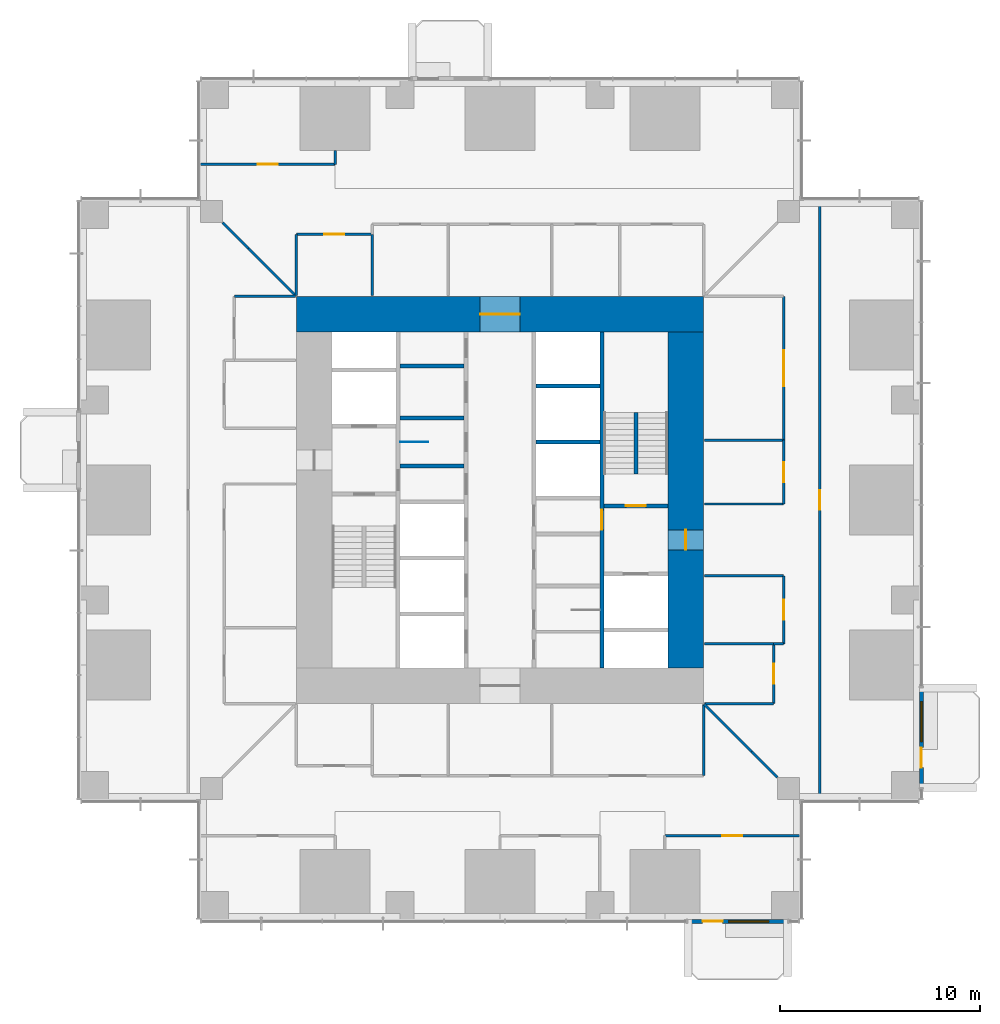
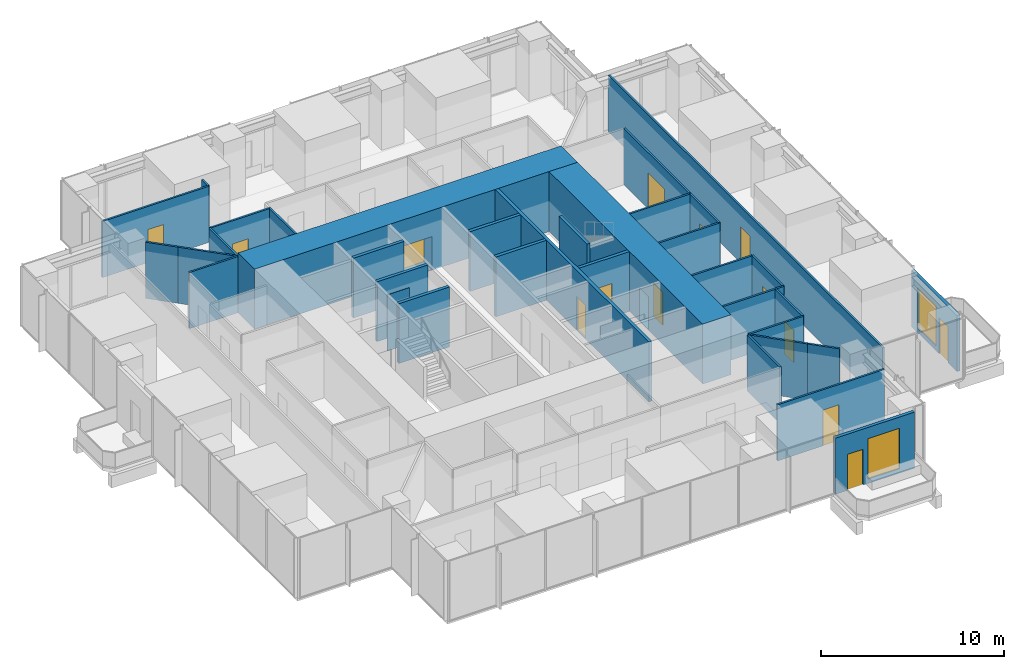
# One storey, part 11 of 15: 36 walls, 14 doors, 2 windows, 16 openings.
"""IFC4 building model written with IfcOpenShell, lengths in metres."""

import ifcopenshell
import ifcopenshell.guid

model = None  # the IFC model being written
_history = None  # IfcOwnerHistory: only IFC2X3 demands one
_inside = {}  # id of a spatial element -> (the spatial element, [elements in it])
_under = {}  # id of a project, library or spatial element -> (it, [spatial elements below it])
_declared = {}  # id of a project -> (the project, [libraries it declares])
_typed = {}  # id of a type object -> (the type object, [elements of that type])
_made_of = {}  # id of a material, layer set ... -> (it, [elements and type objects made of it])


def new_model(schema):
    """Start an empty IFC model of exactly this schema.

    Asked for "IFC4X3", IfcOpenShell would pick the latest addendum, in which some entities
    have other attributes; the version numbers below select the first issue.
    IFC2X3 requires an IfcOwnerHistory on every rooted entity: one is made here for all.
    """
    global model, _history
    if schema == "IFC4X3":
        model = ifcopenshell.file(schema_version=(4, 3, 0, 0))
    else:
        model = ifcopenshell.file(schema=schema)
    _inside.clear()
    _under.clear()
    _declared.clear()
    _typed.clear()
    _made_of.clear()
    _history = None
    if model.schema == "IFC2X3":
        org = make("IfcOrganization", Name="unknown")
        user = make(
            "IfcPersonAndOrganization",
            ThePerson=make("IfcPerson", FamilyName="unknown"),
            TheOrganization=org,
        )
        app = make(
            "IfcApplication",
            ApplicationDeveloper=org,
            Version="unknown",
            ApplicationFullName="unknown",
            ApplicationIdentifier="unknown",
        )
        _history = make(
            "IfcOwnerHistory",
            OwningUser=user,
            OwningApplication=app,
            ChangeAction="ADDED",
            CreationDate=0,
        )
    return model


def make(cls, **values):
    """One entity of the class cls with the attributes given. An attribute that is None is left unset."""
    return model.create_entity(
        cls, **{name: value for name, value in values.items() if value is not None}
    )


def rooted(cls, **values):
    """An entity with a GlobalId (a new one), such as an element, a storey or a relation."""
    return make(cls, GlobalId=ifcopenshell.guid.new(), OwnerHistory=_history, **values)


def si_unit(unit_type, name, prefix=None):
    """IfcSIUnit, for example si_unit("LENGTHUNIT", "METRE", prefix="MILLI")."""
    return make("IfcSIUnit", UnitType=unit_type, Prefix=prefix, Name=name)


def assignment(units):
    """IfcUnitAssignment: the units of a project."""
    return None if units is None else make("IfcUnitAssignment", Units=units)


def point(xyz):
    """IfcCartesianPoint."""
    return None if xyz is None else make("IfcCartesianPoint", Coordinates=xyz)


def direction(xyz):
    """IfcDirection."""
    return None if xyz is None else make("IfcDirection", DirectionRatios=xyz)


def frame(location, z_axis=None, x_axis=None):
    """IfcAxis2Placement3D, a coordinate frame: its origin and axes. An axis left out is left unset."""
    return make(
        "IfcAxis2Placement3D",
        Location=point(location),
        Axis=direction(z_axis),
        RefDirection=direction(x_axis),
    )


def frame_2d(location, x_axis=None):
    """IfcAxis2Placement2D, a coordinate frame in the plane: its origin and x axis."""
    return make(
        "IfcAxis2Placement2D", Location=point(location), RefDirection=direction(x_axis)
    )


def origin():
    """The frame at (0, 0, 0) with its axes left unset."""
    return frame((0.0, 0.0, 0.0))


def place(relative_to, where):
    """IfcLocalPlacement: puts the frame where relative to a parent placement (None: the world)."""
    return make(
        "IfcLocalPlacement", PlacementRelTo=relative_to, RelativePlacement=where
    )


def context(
    kind, dimensions, precision=None, world=None, true_north=None, identifier=None
):
    """IfcGeometricRepresentationContext, for example the 3D "Model" context."""
    return make(
        "IfcGeometricRepresentationContext",
        ContextIdentifier=identifier,
        ContextType=kind,
        CoordinateSpaceDimension=dimensions,
        Precision=precision,
        WorldCoordinateSystem=world,
        TrueNorth=true_north,
    )


def subcontext(parent, identifier, kind, view, scale=None):
    """IfcGeometricRepresentationSubContext, for example "Body" below "Model"."""
    return make(
        "IfcGeometricRepresentationSubContext",
        ContextIdentifier=identifier,
        ContextType=kind,
        ParentContext=parent,
        TargetScale=scale,
        TargetView=view,
    )


def project(units=None, contexts=None):
    """IfcProject with its units and contexts."""
    return rooted(
        "IfcProject",
        Name="project",
        RepresentationContexts=contexts,
        UnitsInContext=assignment(units),
    )


def spatial(cls, under=None, at=None, **own):
    """A site, building, storey or space (cls), placed at a placement, below another one or the project."""
    s = rooted(cls, ObjectPlacement=at, **own)
    if under is not None:
        _under.setdefault(under.id(), (under, []))[1].append(s)
    return s


def profile(cls, at=None, kind="AREA", **sizes):
    """A parametric profile (cls). Its sizes go by their IFC names, for example OverallWidth=200.0."""
    return make(cls, ProfileType=kind, Position=at, **sizes)


def rectangle(**sizes):
    """IfcRectangleProfileDef."""
    return profile("IfcRectangleProfileDef", **sizes)


def extrude(swept, where, along, depth):
    """IfcExtrudedAreaSolid: the profile swept, set in the frame where, extruded along a direction by depth."""
    return make(
        "IfcExtrudedAreaSolid",
        SweptArea=swept,
        Position=where,
        ExtrudedDirection=direction(along),
        Depth=depth,
    )


def shape(context_of_items, identifier, shape_type, items):
    """IfcShapeRepresentation: the items that make up one representation, for example the "Body"."""
    return make(
        "IfcShapeRepresentation",
        ContextOfItems=context_of_items,
        RepresentationIdentifier=identifier,
        RepresentationType=shape_type,
        Items=items,
    )


def material(Name=None, Category=None):
    """IfcMaterial."""
    return make("IfcMaterial", Name=Name, Category=Category)


def layer(
    of_material, thickness, ventilated=None, Name=None, Category=None, Priority=None
):
    """IfcMaterialLayer: one layer of a wall or slab, of a material (None: an air gap)."""
    return make(
        "IfcMaterialLayer",
        Material=of_material,
        LayerThickness=thickness,
        IsVentilated=ventilated,
        Name=Name,
        Category=Category,
        Priority=Priority,
    )


def layer_set(layers, Name=None):
    """IfcMaterialLayerSet."""
    return make("IfcMaterialLayerSet", MaterialLayers=layers, LayerSetName=Name)


def made_of(thing, what):
    """Note that an element or type object is made of a material, layer set ...; save() writes the relation."""
    if what is not None:
        _made_of.setdefault(what.id(), (what, []))[1].append(thing)
    return thing


def type_object(cls, material=None, **own):
    """A type object (cls), such as IfcWallType, which elements share."""
    return made_of(rooted(cls, **own), material)


def element(
    cls,
    number,
    at=None,
    inside=None,
    cuts=None,
    type_object=None,
    material=None,
    context=None,
    identifier="Body",
    shape_type=None,
    held_by="IfcProductDefinitionShape",
    body=None,
    shapes=None,
    **own,
):
    """One element of the class cls, such as IfcWall. Its Tag is "e" and its number.

    at: its placement. inside: the storey or other place that contains it. cuts: it is an
    opening in that element (IfcRelVoidsElement). A single representation is given by context,
    identifier, shape_type and body (its items); several are given by shapes. held_by: the class
    of the entity that holds the representations. save() writes the other relations.
    """
    e = rooted(cls, Tag="e%d" % number, ObjectPlacement=at, **own)
    if body is not None:
        shapes = [shape(context, identifier, shape_type, body)]
    if shapes is not None:
        e.Representation = make(held_by, Representations=shapes)
    if inside is not None:
        _inside.setdefault(inside.id(), (inside, []))[1].append(e)
    if cuts is not None:
        rooted(
            "IfcRelVoidsElement", RelatingBuildingElement=cuts, RelatedOpeningElement=e
        )
    if type_object is not None:
        _typed.setdefault(type_object.id(), (type_object, []))[1].append(e)
    return made_of(e, material)


def fill(opening, filler):
    """IfcRelFillsElement: the door or window that sits in an opening."""
    return rooted(
        "IfcRelFillsElement",
        RelatingOpeningElement=opening,
        RelatedBuildingElement=filler,
    )


def aggregate(whole, parts):
    """IfcRelAggregates: a whole, such as a stair, and the parts it consists of."""
    return rooted("IfcRelAggregates", RelatingObject=whole, RelatedObjects=parts)


def save(model, path):
    """Write the relations noted so far, then the file.

    IfcRelAggregates (storeys below a building ...), IfcRelContainedInSpatialStructure (elements
    in a storey), IfcRelDefinesByType, IfcRelAssociatesMaterial and IfcRelDeclares: one each for
    every whole, place, type object, material and project.
    """
    for whole, parts in _under.values():
        aggregate(whole, parts)
    for where, things in _inside.values():
        rooted(
            "IfcRelContainedInSpatialStructure",
            RelatedElements=things,
            RelatingStructure=where,
        )
    for kind, things in _typed.values():
        rooted("IfcRelDefinesByType", RelatedObjects=things, RelatingType=kind)
    for what, things in _made_of.values():
        rooted("IfcRelAssociatesMaterial", RelatedObjects=things, RelatingMaterial=what)
    for by, libraries in _declared.values():
        rooted("IfcRelDeclares", RelatingContext=by, RelatedDefinitions=libraries)
    model.write(path)


model = new_model("IFC4")

# Units and contexts
model_context = context("Model", 3, precision=1e-05, world=origin(), true_north=direction((0.0, 1.0)))
body_context = subcontext(model_context, "Body", "Model", "MODEL_VIEW")
ifc_project = project(units=[si_unit("LENGTHUNIT", "METRE"), si_unit("AREAUNIT", "SQUARE_METRE"), si_unit("VOLUMEUNIT", "CUBIC_METRE"), si_unit("PLANEANGLEUNIT", "RADIAN"), si_unit("MASSUNIT", "GRAM", prefix="KILO")], contexts=[model_context])

# Site, building, storey
site_placement = place(None, origin())
site = spatial("IfcSite", under=ifc_project, at=site_placement, CompositionType="ELEMENT")
building_placement = place(site_placement, origin())
building = spatial("IfcBuilding", under=site, at=building_placement, Name="Svetlomir Tower", CompositionType="ELEMENT")
storey_placement = place(building_placement, frame((0.0, 0.0, 26.5)))
storey = spatial("IfcBuildingStorey", under=building, at=storey_placement, Name="L05", CompositionType="ELEMENT", Elevation=26.5)

# Wall, openings, door, window
ifc_material_1 = material(Name="Bronze anodised aluminium glazed screen", Category="aluminium")
ifc_layer_1 = layer(ifc_material_1, 0.199951171875)
ifc_layer_set_1 = layer_set([ifc_layer_1], Name="Bronze anodised aluminium glazed screen")
wall_type_1 = type_object("IfcWallType", Name="BALCONY SCREEN WALL 200", PredefinedType="USERDEFINED", material=ifc_layer_set_1)
wall_1_placement = place(storey_placement, frame((30.39990234375, -0.10009765625, 0.0), z_axis=(0.0, 0.0, 1.0), x_axis=(1.0, 0.0, 0.0)))
wall_1 = element("IfcWall", 1, at=wall_1_placement, inside=storey, type_object=wall_type_1, Name="Balcony screen S", ObjectType="GLAZED SCREEN", PredefinedType="USERDEFINED", context=body_context, shape_type="SweptSolid", body=[
    extrude(rectangle(XDim=5.0, YDim=0.199951171875, at=frame_2d((2.5, 0.0))), origin(), (0.0, 0.0, 1.0), 3.75),
])
opening_1_placement = place(wall_1_placement, frame((0.75, 0.0, 0.0)))
opening_1 = element("IfcOpeningElement", 2, at=opening_1_placement, cuts=wall_1, Name="Opening BD", PredefinedType="OPENING", context=body_context, shape_type="SweptSolid", body=[
    extrude(rectangle(XDim=1.0, YDim=2.39990234375, at=frame_2d((0.5, 1.199951171875))), frame((0.0, 0.10986328125, 0.0), z_axis=(0.0, -1.0, 0.0), x_axis=(1.0, 0.0, 0.0)), (0.0, 0.0, 1.0), 0.219970703125),
])
opening_2_placement = place(wall_1_placement, frame((2.050048828125, 0.0, 0.300048828125)))
opening_2 = element("IfcOpeningElement", 3, at=opening_2_placement, cuts=wall_1, Name="Opening WS", PredefinedType="OPENING", context=body_context, shape_type="SweptSolid", body=[
    extrude(rectangle(XDim=2.0, YDim=2.699951171875, at=frame_2d((1.0, 1.35009765625))), frame((0.0, 0.10986328125, 0.0), z_axis=(0.0, -1.0, 0.0), x_axis=(1.0, 0.0, 0.0)), (0.0, 0.0, 1.0), 0.219970703125),
])
ifc_material_2 = material(Name="Bronze anodised aluminium glazed door", Category="aluminium")
door_type_1 = type_object("IfcDoorType", Name="BALCONY DOOR BD 1000x2400", OperationType="SINGLE_SWING_LEFT", PredefinedType="DOOR", material=ifc_material_2)
door_1_placement = place(opening_1_placement, origin())
door_1 = element("IfcDoor", 4, at=door_1_placement, inside=storey, type_object=door_type_1, Name="Balcony screen S door", OperationType="SINGLE_SWING_LEFT", OverallHeight=2.39990234375, OverallWidth=1.0, PredefinedType="DOOR", context=body_context, shape_type="SweptSolid", body=[
    extrude(rectangle(XDim=1.0, YDim=2.39990234375, at=frame_2d((0.5, 1.199951171875))), frame((0.0, 0.02490234375, 0.0), z_axis=(0.0, -1.0, 0.0), x_axis=(1.0, 0.0, 0.0)), (0.0, 0.0, 1.0), 0.050048828125),
])
fill(opening_1, door_1)
ifc_material_3 = material(Name="Bronze anodised aluminium window", Category="aluminium")
window_type = type_object("IfcWindowType", Name="SCREEN WINDOW WS 2000x2700", PartitioningType="SINGLE_PANEL", PredefinedType="WINDOW", material=ifc_material_3)
window_1_placement = place(opening_2_placement, origin())
window_1 = element("IfcWindow", 5, at=window_1_placement, inside=storey, type_object=window_type, Name="Balcony screen S window 1", OverallHeight=2.699951171875, OverallWidth=2.0, PartitioningType="SINGLE_PANEL", PredefinedType="WINDOW", context=body_context, shape_type="SweptSolid", body=[
    extrude(rectangle(XDim=2.0, YDim=2.699951171875, at=frame_2d((1.0, 1.35009765625))), frame((0.0, 0.030029296875, 0.0), z_axis=(0.0, -1.0, 0.0), x_axis=(1.0, 0.0, 0.0)), (0.0, 0.0, 1.0), 0.06005859375),
])
fill(opening_2, window_1)

wall_2_placement = place(storey_placement, frame((42.10009765625, 6.60009765625, 0.0), z_axis=(0.0, 0.0, 1.0), x_axis=(0.0, 1.0, 0.0)))
wall_2 = element("IfcWall", 6, at=wall_2_placement, inside=storey, type_object=wall_type_1, Name="Balcony screen E", ObjectType="GLAZED SCREEN", PredefinedType="USERDEFINED", context=body_context, shape_type="SweptSolid", body=[
    extrude(rectangle(XDim=5.0, YDim=0.199951171875, at=frame_2d((2.5, 0.0))), origin(), (0.0, 0.0, 1.0), 3.75),
])
opening_3_placement = place(wall_2_placement, frame((1.0, 0.0, 0.0)))
opening_3 = element("IfcOpeningElement", 7, at=opening_3_placement, cuts=wall_2, Name="Opening BD", PredefinedType="OPENING", context=body_context, shape_type="SweptSolid", body=[
    extrude(rectangle(XDim=1.0, YDim=2.39990234375, at=frame_2d((0.5, 1.199951171875))), frame((0.0, 0.10986328125, 0.0), z_axis=(0.0, -1.0, 0.0), x_axis=(1.0, 0.0, 0.0)), (0.0, 0.0, 1.0), 0.219970703125),
])
opening_4_placement = place(wall_2_placement, frame((2.300048828125, 0.0, 0.300048828125)))
opening_4 = element("IfcOpeningElement", 8, at=opening_4_placement, cuts=wall_2, Name="Opening WS", PredefinedType="OPENING", context=body_context, shape_type="SweptSolid", body=[
    extrude(rectangle(XDim=2.0, YDim=2.699951171875, at=frame_2d((1.0, 1.35009765625))), frame((0.0, 0.10986328125, 0.0), z_axis=(0.0, -1.0, 0.0), x_axis=(1.0, 0.0, 0.0)), (0.0, 0.0, 1.0), 0.219970703125),
])
door_2_placement = place(opening_3_placement, origin())
door_2 = element("IfcDoor", 9, at=door_2_placement, inside=storey, type_object=door_type_1, Name="Balcony screen E door", OperationType="SINGLE_SWING_LEFT", OverallHeight=2.39990234375, OverallWidth=1.0, PredefinedType="DOOR", context=body_context, shape_type="SweptSolid", body=[
    extrude(rectangle(XDim=1.0, YDim=2.39990234375, at=frame_2d((0.5, 1.199951171875))), frame((0.0, 0.02490234375, 0.0), z_axis=(0.0, -1.0, 0.0), x_axis=(1.0, 0.0, 0.0)), (0.0, 0.0, 1.0), 0.050048828125),
])
fill(opening_3, door_2)
window_2_placement = place(opening_4_placement, origin())
window_2 = element("IfcWindow", 10, at=window_2_placement, inside=storey, type_object=window_type, Name="Balcony screen E window 1", OverallHeight=2.699951171875, OverallWidth=2.0, PartitioningType="SINGLE_PANEL", PredefinedType="WINDOW", context=body_context, shape_type="SweptSolid", body=[
    extrude(rectangle(XDim=2.0, YDim=2.699951171875, at=frame_2d((1.0, 1.35009765625))), frame((0.0, 0.030029296875, 0.0), z_axis=(0.0, -1.0, 0.0), x_axis=(1.0, 0.0, 0.0)), (0.0, 0.0, 1.0), 0.06005859375),
])
fill(opening_4, window_2)

# Wall, opening, door
ifc_material_4 = material(Name="Concrete C60/75", Category="concrete")
ifc_layer_2 = layer(ifc_material_4, 0.199951171875)
ifc_layer_set_2 = layer_set([ifc_layer_2], Name="Concrete C60/75")
wall_type_2 = type_object("IfcWallType", Name="CORE INNER WALL 200", PredefinedType="SHEAR", material=ifc_layer_set_2)
wall_3_placement = place(storey_placement, frame((26.10009765625, 12.60009765625, -0.050048828125), z_axis=(0.0, 0.0, 1.0), x_axis=(0.0, 1.0, 0.0)))
wall_3 = element("IfcWall", 11, at=wall_3_placement, inside=storey, type_object=wall_type_2, Name="Core inner wall 26.1 L05", PredefinedType="SHEAR", context=body_context, shape_type="SweptSolid", body=[
    extrude(rectangle(XDim=16.7998046875, YDim=0.199951171875, at=frame_2d((8.39990234375, 0.0))), origin(), (0.0, 0.0, 1.0), 4.0),
])
opening_5_placement = place(wall_3_placement, frame((6.89990234375, 0.0, 0.050048828125)))
opening_5 = element("IfcOpeningElement", 12, at=opening_5_placement, cuts=wall_3, Name="Opening DF", PredefinedType="OPENING", context=body_context, shape_type="SweptSolid", body=[
    extrude(rectangle(XDim=1.0, YDim=2.199951171875, at=frame_2d((0.5, 1.10009765625))), frame((0.0, 0.10986328125, 0.0), z_axis=(0.0, -1.0, 0.0), x_axis=(1.0, 0.0, 0.0)), (0.0, 0.0, 1.0), 0.219970703125),
])
ifc_material_5 = material(Name="Steel fire door", Category="steel")
door_type_2 = type_object("IfcDoorType", Name="DOOR DF 1000x2200", OperationType="SINGLE_SWING_LEFT", PredefinedType="DOOR", material=ifc_material_5)
door_3_placement = place(opening_5_placement, origin())
door_3 = element("IfcDoor", 13, at=door_3_placement, inside=storey, type_object=door_type_2, Name="Core corridor east door L05", OperationType="SINGLE_SWING_LEFT", OverallHeight=2.199951171875, OverallWidth=1.0, PredefinedType="DOOR", context=body_context, shape_type="SweptSolid", body=[
    extrude(rectangle(XDim=1.0, YDim=2.199951171875, at=frame_2d((0.5, 1.10009765625))), frame((0.0, 0.02490234375, 0.0), z_axis=(0.0, -1.0, 0.0), x_axis=(1.0, 0.0, 0.0)), (0.0, 0.0, 1.0), 0.050048828125),
])
fill(opening_5, door_3)

# Walls
for number, where, z_axis, x_axis, name in (
    (14, (16.0, 22.699951171875, -0.050048828125), (0.0, 0.0, 1.0), (1.0, 0.0, 0.0), "Core inner wall 16-19.2/22.7 L05"),
    (15, (16.0, 25.10009765625, -0.050048828125), (0.0, 0.0, 1.0), (1.0, 0.0, 0.0), "Core inner wall 16-19.2/25.1 L05"),
    (16, (16.0, 27.699951171875, -0.050048828125), (0.0, 0.0, 1.0), (1.0, 0.0, 0.0), "Core inner wall 16-19.2/27.7 L05"),
    (17, (22.800048828125, 23.89990234375, -0.050048828125), (0.0, 0.0, 1.0), (1.0, 0.0, 0.0), "Core inner wall 22.8-26/23.9 L05"),
    (18, (22.800048828125, 26.699951171875, -0.050048828125), (0.0, 0.0, 1.0), (1.0, 0.0, 0.0), "Core inner wall 22.8-26/26.7 L05"),
):
    element("IfcWall", number, at=place(storey_placement, frame(where, z_axis=z_axis, x_axis=x_axis)), inside=storey, type_object=wall_type_2, Name=name, PredefinedType="SHEAR", context=body_context, shape_type="SweptSolid", body=[
        extrude(rectangle(XDim=3.199951171875, YDim=0.199951171875, at=frame_2d((1.60009765625, 0.0))), origin(), (0.0, 0.0, 1.0), 4.0),
    ])

# Wall, opening, door
wall_4_placement = place(storey_placement, frame((26.199951171875, 20.699951171875, -0.050048828125), z_axis=(0.0, 0.0, 1.0), x_axis=(1.0, 0.0, 0.0)))
wall_4 = element("IfcWall", 19, at=wall_4_placement, inside=storey, type_object=wall_type_2, Name="Core inner wall 26.2-29.4/20.7 L05", PredefinedType="SHEAR", context=body_context, shape_type="SweptSolid", body=[
    extrude(rectangle(XDim=3.199951171875, YDim=0.199951171875, at=frame_2d((1.60009765625, 0.0))), origin(), (0.0, 0.0, 1.0), 4.0),
])
opening_6_placement = place(wall_4_placement, frame((1.10009765625, 0.0, 0.050048828125)))
opening_6 = element("IfcOpeningElement", 20, at=opening_6_placement, cuts=wall_4, Name="Opening DF", PredefinedType="OPENING", context=body_context, shape_type="SweptSolid", body=[
    extrude(rectangle(XDim=1.0, YDim=2.199951171875, at=frame_2d((0.5, 1.10009765625))), frame((0.0, 0.10986328125, 0.0), z_axis=(0.0, -1.0, 0.0), x_axis=(1.0, 0.0, 0.0)), (0.0, 0.0, 1.0), 0.219970703125),
])
door_4_placement = place(opening_6_placement, origin())
door_4 = element("IfcDoor", 21, at=door_4_placement, inside=storey, type_object=door_type_2, Name="Stair S2 door L05", OperationType="SINGLE_SWING_LEFT", OverallHeight=2.199951171875, OverallWidth=1.0, PredefinedType="DOOR", context=body_context, shape_type="SweptSolid", body=[
    extrude(rectangle(XDim=1.0, YDim=2.199951171875, at=frame_2d((0.5, 1.10009765625))), frame((0.0, 0.02490234375, 0.0), z_axis=(0.0, -1.0, 0.0), x_axis=(1.0, 0.0, 0.0)), (0.0, 0.0, 1.0), 0.050048828125),
])
fill(opening_6, door_4)

ifc_material_6 = material(Name="Concrete C60/75", Category="concrete")
ifc_layer_3 = layer(ifc_material_6, 1.800048828125)
ifc_layer_set_3 = layer_set([ifc_layer_3], Name="Concrete C60/75")
wall_type_3 = type_object("IfcWallType", Name="CORE WALL 1800", PredefinedType="SHEAR", material=ifc_layer_set_3)
wall_5_placement = place(storey_placement, frame((10.800048828125, 30.300048828125, -0.050048828125), z_axis=(0.0, 0.0, 1.0), x_axis=(1.0, 0.0, 0.0)))
wall_5 = element("IfcWall", 22, at=wall_5_placement, inside=storey, type_object=wall_type_3, Name="Core wall north L05", PredefinedType="SHEAR", context=body_context, shape_type="SweptSolid", body=[
    extrude(rectangle(XDim=20.39990234375, YDim=1.800048828125, at=frame_2d((10.199951171875, 0.0))), origin(), (0.0, 0.0, 1.0), 4.0),
])
opening_7_placement = place(wall_5_placement, frame((9.199951171875, 0.0, 0.050048828125)))
opening_7 = element("IfcOpeningElement", 23, at=opening_7_placement, cuts=wall_5, Name="Opening DL", PredefinedType="OPENING", context=body_context, shape_type="SweptSolid", body=[
    extrude(rectangle(XDim=2.0, YDim=2.199951171875, at=frame_2d((1.0, 1.10009765625))), frame((0.0, 0.91015625, 0.0), z_axis=(0.0, -1.0, 0.0), x_axis=(1.0, 0.0, 0.0)), (0.0, 0.0, 1.0), 1.820068359375),
])
ifc_material_7 = material(Name="Steel fire door", Category="steel")
door_type_3 = type_object("IfcDoorType", Name="DOOR DL 2000x2200", OperationType="DOUBLE_DOOR_SINGLE_SWING", PredefinedType="DOOR", material=ifc_material_7)
door_5_placement = place(opening_7_placement, origin())
door_5 = element("IfcDoor", 24, at=door_5_placement, inside=storey, type_object=door_type_3, Name="Lift lobby north door L05", OperationType="DOUBLE_DOOR_SINGLE_SWING", OverallHeight=2.199951171875, OverallWidth=2.0, PredefinedType="DOOR", context=body_context, shape_type="SweptSolid", body=[
    extrude(rectangle(XDim=2.0, YDim=2.199951171875, at=frame_2d((1.0, 1.10009765625))), frame((0.0, 0.02490234375, 0.0), z_axis=(0.0, -1.0, 0.0), x_axis=(1.0, 0.0, 0.0)), (0.0, 0.0, 1.0), 0.050048828125),
])
fill(opening_7, door_5)

wall_6_placement = place(storey_placement, frame((30.300048828125, 12.60009765625, -0.050048828125), z_axis=(0.0, 0.0, 1.0), x_axis=(0.0, 1.0, 0.0)))
wall_6 = element("IfcWall", 25, at=wall_6_placement, inside=storey, type_object=wall_type_3, Name="Core wall east L05", PredefinedType="SHEAR", context=body_context, shape_type="SweptSolid", body=[
    extrude(rectangle(XDim=16.7998046875, YDim=1.800048828125, at=frame_2d((8.39990234375, 0.0))), origin(), (0.0, 0.0, 1.0), 4.0),
])
opening_8_placement = place(wall_6_placement, frame((5.89990234375, 0.0, 0.050048828125)))
opening_8 = element("IfcOpeningElement", 26, at=opening_8_placement, cuts=wall_6, Name="Opening DF", PredefinedType="OPENING", context=body_context, shape_type="SweptSolid", body=[
    extrude(rectangle(XDim=1.0, YDim=2.199951171875, at=frame_2d((0.5, 1.10009765625))), frame((0.0, 0.91015625, 0.0), z_axis=(0.0, -1.0, 0.0), x_axis=(1.0, 0.0, 0.0)), (0.0, 0.0, 1.0), 1.820068359375),
])
door_6_placement = place(opening_8_placement, origin())
door_6 = element("IfcDoor", 27, at=door_6_placement, inside=storey, type_object=door_type_2, Name="Firefighting lobby east door L05", OperationType="SINGLE_SWING_LEFT", OverallHeight=2.199951171875, OverallWidth=1.0, PredefinedType="DOOR", context=body_context, shape_type="SweptSolid", body=[
    extrude(rectangle(XDim=1.0, YDim=2.199951171875, at=frame_2d((0.5, 1.10009765625))), frame((0.0, 0.02490234375, 0.0), z_axis=(0.0, -1.0, 0.0), x_axis=(1.0, 0.0, 0.0)), (0.0, 0.0, 1.0), 0.050048828125),
])
fill(opening_8, door_6)

ifc_material_8 = material(Name="Gypsum board on steel studs", Category="steel")
ifc_layer_4 = layer(ifc_material_8, 0.1201171875)
ifc_layer_set_4 = layer_set([ifc_layer_4], Name="Gypsum board on steel studs")
wall_type_4 = type_object("IfcWallType", Name="PARTITION 120", PredefinedType="PARTITIONING", material=ifc_layer_set_4)
wall_7_placement = place(storey_placement, frame((6.0, 37.800048828125, 0.0), z_axis=(0.0, 0.0, 1.0), x_axis=(1.0, 0.0, 0.0)))
wall_7 = element("IfcWall", 28, at=wall_7_placement, inside=storey, type_object=wall_type_4, Name="Partition L05", PredefinedType="PARTITIONING", context=body_context, shape_type="SweptSolid", body=[
    extrude(rectangle(XDim=6.75, YDim=0.1201171875, at=frame_2d((3.375, 0.0))), origin(), (0.0, 0.0, 1.0), 3.75),
])
opening_9_placement = place(wall_7_placement, frame((2.875, 0.0, 0.0)))
opening_9 = element("IfcOpeningElement", 29, at=opening_9_placement, cuts=wall_7, Name="Opening DR", PredefinedType="OPENING", context=body_context, shape_type="SweptSolid", body=[
    extrude(rectangle(XDim=1.0, YDim=2.199951171875, at=frame_2d((0.5, 1.10009765625))), frame((0.0, 0.070068359375, 0.0), z_axis=(0.0, -1.0, 0.0), x_axis=(1.0, 0.0, 0.0)), (0.0, 0.0, 1.0), 0.14013671875),
])
ifc_material_9 = material(Name="Timber door, glazed side light", Category="wood")
door_type_4 = type_object("IfcDoorType", Name="DOOR DR 1000x2200", OperationType="SINGLE_SWING_LEFT", PredefinedType="DOOR", material=ifc_material_9)
door_7_placement = place(opening_9_placement, origin())
door_7 = element("IfcDoor", 30, at=door_7_placement, inside=storey, type_object=door_type_4, Name="Accounts payable manager office door L05", OperationType="SINGLE_SWING_RIGHT", OverallHeight=2.199951171875, OverallWidth=1.0, PredefinedType="DOOR", context=body_context, shape_type="SweptSolid", body=[
    extrude(rectangle(XDim=1.0, YDim=2.199951171875, at=frame_2d((0.5, 1.10009765625))), frame((0.0, 0.02490234375, 0.0), z_axis=(0.0, -1.0, 0.0), x_axis=(1.0, 0.0, 0.0)), (0.0, 0.0, 1.0), 0.050048828125),
])
fill(opening_9, door_7)

# Walls
wall_8_placement = place(storey_placement, frame((7.110107421875, 34.889892578125, 0.0), z_axis=(0.0, 0.0, 1.0), x_axis=(0.707106781187, -0.707106781187, 0.0)))
element("IfcWall", 31, at=wall_8_placement, inside=storey, type_object=wall_type_4, Name="Partition L05", PredefinedType="PARTITIONING", context=body_context, shape_type="SweptSolid", body=[
    extrude(rectangle(XDim=1.822021484375, YDim=0.1201171875, at=frame_2d((0.9111328125, 0.0))), origin(), (0.0, 0.0, 1.0), 3.75),
])
wall_9_placement = place(storey_placement, frame((7.699951171875, 31.199951171875, 0.0), z_axis=(0.0, 0.0, 1.0), x_axis=(1.0, 0.0, 0.0)))
element("IfcWall", 32, at=wall_9_placement, inside=storey, type_object=wall_type_4, Name="Partition L05", PredefinedType="PARTITIONING", context=body_context, shape_type="SweptSolid", body=[
    extrude(rectangle(XDim=3.050048828125, YDim=0.1201171875, at=frame_2d((1.52490234375, 0.0))), origin(), (0.0, 0.0, 1.0), 3.75),
])
wall_10_placement = place(storey_placement, frame((8.3984375, 33.6015625, 0.0), z_axis=(0.0, 0.0, 1.0), x_axis=(0.707106781187, -0.707106781187, 0.0)))
element("IfcWall", 33, at=wall_10_placement, inside=storey, type_object=wall_type_4, Name="Partition L05", PredefinedType="PARTITIONING", context=body_context, shape_type="SweptSolid", body=[
    extrude(rectangle(XDim=3.346435546875, YDim=0.1201171875, at=frame_2d((1.67333984375, 0.0))), origin(), (0.0, 0.0, 1.0), 3.75),
])
wall_11_placement = place(storey_placement, frame((10.800048828125, 31.25, 0.0), z_axis=(0.0, 0.0, 1.0), x_axis=(0.0, 1.0, 0.0)))
element("IfcWall", 34, at=wall_11_placement, inside=storey, type_object=wall_type_4, Name="Partition L05", PredefinedType="PARTITIONING", context=body_context, shape_type="SweptSolid", body=[
    extrude(rectangle(XDim=3.050048828125, YDim=0.1201171875, at=frame_2d((1.52490234375, 0.0))), origin(), (0.0, 0.0, 1.0), 3.75),
])

# Wall, opening, door
wall_12_placement = place(storey_placement, frame((10.800048828125, 34.300048828125, 0.0), z_axis=(0.0, 0.0, 1.0), x_axis=(1.0, 0.0, 0.0)))
wall_12 = element("IfcWall", 35, at=wall_12_placement, inside=storey, type_object=wall_type_4, Name="Partition L05", PredefinedType="PARTITIONING", context=body_context, shape_type="SweptSolid", body=[
    extrude(rectangle(XDim=3.800048828125, YDim=0.1201171875, at=frame_2d((1.89990234375, 0.0))), origin(), (0.0, 0.0, 1.0), 3.75),
])
opening_10_placement = place(wall_12_placement, frame((1.39990234375, 0.0, 0.0)))
opening_10 = element("IfcOpeningElement", 36, at=opening_10_placement, cuts=wall_12, Name="Opening DR", PredefinedType="OPENING", context=body_context, shape_type="SweptSolid", body=[
    extrude(rectangle(XDim=1.0, YDim=2.199951171875, at=frame_2d((0.5, 1.10009765625))), frame((0.0, 0.070068359375, 0.0), z_axis=(0.0, -1.0, 0.0), x_axis=(1.0, 0.0, 0.0)), (0.0, 0.0, 1.0), 0.14013671875),
])
door_8_placement = place(opening_10_placement, origin())
door_8 = element("IfcDoor", 37, at=door_8_placement, inside=storey, type_object=door_type_4, Name="Mail and scanning room door L05", OperationType="SINGLE_SWING_LEFT", OverallHeight=2.199951171875, OverallWidth=1.0, PredefinedType="DOOR", context=body_context, shape_type="SweptSolid", body=[
    extrude(rectangle(XDim=1.0, YDim=2.199951171875, at=frame_2d((0.5, 1.10009765625))), frame((0.0, 0.02490234375, 0.0), z_axis=(0.0, -1.0, 0.0), x_axis=(1.0, 0.0, 0.0)), (0.0, 0.0, 1.0), 0.050048828125),
])
fill(opening_10, door_8)

# Walls
wall_13_placement = place(storey_placement, frame((12.75, 37.800048828125, 0.0), z_axis=(0.0, 0.0, 1.0), x_axis=(0.0, 1.0, 0.0)))
element("IfcWall", 38, at=wall_13_placement, inside=storey, type_object=wall_type_4, Name="Partition L05", PredefinedType="PARTITIONING", context=body_context, shape_type="SweptSolid", body=[
    extrude(rectangle(XDim=0.68994140625, YDim=0.1201171875, at=frame_2d((0.344970703125, 0.0))), origin(), (0.0, 0.0, 1.0), 3.75),
])
wall_14_placement = place(storey_placement, frame((14.60009765625, 31.25, 0.0), z_axis=(0.0, 0.0, 1.0), x_axis=(0.0, 1.0, 0.0)))
element("IfcWall", 39, at=wall_14_placement, inside=storey, type_object=wall_type_4, Name="Partition L05", PredefinedType="PARTITIONING", context=body_context, shape_type="SweptSolid", body=[
    extrude(rectangle(XDim=3.050048828125, YDim=0.1201171875, at=frame_2d((1.52490234375, 0.0))), origin(), (0.0, 0.0, 1.0), 3.75),
])

# Wall, opening, door
wall_15_placement = place(storey_placement, frame((29.25, 4.199951171875, 0.0), z_axis=(0.0, 0.0, 1.0), x_axis=(1.0, 0.0, 0.0)))
wall_15 = element("IfcWall", 40, at=wall_15_placement, inside=storey, type_object=wall_type_4, Name="Partition L05", PredefinedType="PARTITIONING", context=body_context, shape_type="SweptSolid", body=[
    extrude(rectangle(XDim=6.75, YDim=0.1201171875, at=frame_2d((3.375, 0.0))), origin(), (0.0, 0.0, 1.0), 3.75),
])
opening_11_placement = place(wall_15_placement, frame((2.875, 0.0, 0.0)))
opening_11 = element("IfcOpeningElement", 41, at=opening_11_placement, cuts=wall_15, Name="Opening DG", PredefinedType="OPENING", context=body_context, shape_type="SweptSolid", body=[
    extrude(rectangle(XDim=1.0, YDim=2.39990234375, at=frame_2d((0.5, 1.199951171875))), frame((0.0, 0.070068359375, 0.0), z_axis=(0.0, -1.0, 0.0), x_axis=(1.0, 0.0, 0.0)), (0.0, 0.0, 1.0), 0.14013671875),
])
ifc_material_10 = material(Name="Framed laminated glass door", Category="glass")
door_type_5 = type_object("IfcDoorType", Name="GLAZED DOOR DG 1000x2400", OperationType="SINGLE_SWING_LEFT", PredefinedType="DOOR", material=ifc_material_10)
door_9_placement = place(opening_11_placement, origin())
door_9 = element("IfcDoor", 42, at=door_9_placement, inside=storey, type_object=door_type_5, Name="Break-out and kitchenette door L05", OperationType="SINGLE_SWING_LEFT", OverallHeight=2.39990234375, OverallWidth=1.0, PredefinedType="DOOR", context=body_context, shape_type="SweptSolid", body=[
    extrude(rectangle(XDim=1.0, YDim=2.39990234375, at=frame_2d((0.5, 1.199951171875))), frame((0.0, 0.02490234375, 0.0), z_axis=(0.0, -1.0, 0.0), x_axis=(1.0, 0.0, 0.0)), (0.0, 0.0, 1.0), 0.050048828125),
])
fill(opening_11, door_9)

# Walls
wall_16_placement = place(storey_placement, frame((31.199951171875, 7.199951171875, 0.0), z_axis=(0.0, 0.0, 1.0), x_axis=(0.0, 1.0, 0.0)))
element("IfcWall", 43, at=wall_16_placement, inside=storey, type_object=wall_type_4, Name="Partition L05", PredefinedType="PARTITIONING", context=body_context, shape_type="SweptSolid", body=[
    extrude(rectangle(XDim=3.550048828125, YDim=0.1201171875, at=frame_2d((1.77490234375, 0.0))), origin(), (0.0, 0.0, 1.0), 3.75),
])
wall_17_placement = place(storey_placement, frame((31.2353515625, 10.7646484375, 0.0), z_axis=(0.0, 0.0, 1.0), x_axis=(0.707106781187, -0.707106781187, 0.0)))
element("IfcWall", 44, at=wall_17_placement, inside=storey, type_object=wall_type_4, Name="Partition L05", PredefinedType="PARTITIONING", context=body_context, shape_type="SweptSolid", body=[
    extrude(rectangle(XDim=3.346435546875, YDim=0.1201171875, at=frame_2d((1.67333984375, 0.0))), origin(), (0.0, 0.0, 1.0), 3.75),
])
for number, where, z_axis, x_axis, name in (
    (45, (31.25, 10.800048828125, 0.0), (0.0, 0.0, 1.0), (1.0, 0.0, 0.0), "Partition L05"),
    (46, (31.25, 13.800048828125, 0.0), (0.0, 0.0, 1.0), (1.0, 0.0, 0.0), "Partition L05"),
):
    element("IfcWall", number, at=place(storey_placement, frame(where, z_axis=z_axis, x_axis=x_axis)), inside=storey, type_object=wall_type_4, Name=name, PredefinedType="PARTITIONING", context=body_context, shape_type="SweptSolid", body=[
        extrude(rectangle(XDim=3.449951171875, YDim=0.1201171875, at=frame_2d((1.72509765625, 0.0))), origin(), (0.0, 0.0, 1.0), 3.75),
    ])
for number, where, z_axis, x_axis, name in (
    (47, (31.25, 17.199951171875, 0.0), (0.0, 0.0, 1.0), (1.0, 0.0, 0.0), "Partition L05"),
    (48, (31.25, 20.800048828125, 0.0), (0.0, 0.0, 1.0), (1.0, 0.0, 0.0), "Partition L05"),
    (49, (31.25, 24.0, 0.0), (0.0, 0.0, 1.0), (1.0, 0.0, 0.0), "Partition L05"),
):
    element("IfcWall", number, at=place(storey_placement, frame(where, z_axis=z_axis, x_axis=x_axis)), inside=storey, type_object=wall_type_4, Name=name, PredefinedType="PARTITIONING", context=body_context, shape_type="SweptSolid", body=[
        extrude(rectangle(XDim=3.949951171875, YDim=0.1201171875, at=frame_2d((1.97509765625, 0.0))), origin(), (0.0, 0.0, 1.0), 3.75),
    ])
wall_18_placement = place(storey_placement, frame((33.6015625, 8.3984375, 0.0), z_axis=(0.0, 0.0, 1.0), x_axis=(0.707106781187, -0.707106781187, 0.0)))
element("IfcWall", 50, at=wall_18_placement, inside=storey, type_object=wall_type_4, Name="Partition L05", PredefinedType="PARTITIONING", context=body_context, shape_type="SweptSolid", body=[
    extrude(rectangle(XDim=1.822021484375, YDim=0.1201171875, at=frame_2d((0.9111328125, 0.0))), origin(), (0.0, 0.0, 1.0), 3.75),
])

# Wall, opening, door
wall_19_placement = place(storey_placement, frame((34.699951171875, 10.800048828125, 0.0), z_axis=(0.0, 0.0, 1.0), x_axis=(0.0, 1.0, 0.0)))
wall_19 = element("IfcWall", 51, at=wall_19_placement, inside=storey, type_object=wall_type_4, Name="Partition L05", PredefinedType="PARTITIONING", context=body_context, shape_type="SweptSolid", body=[
    extrude(rectangle(XDim=3.0, YDim=0.1201171875, at=frame_2d((1.5, 0.0))), origin(), (0.0, 0.0, 1.0), 3.75),
])
opening_12_placement = place(wall_19_placement, frame((1.0, 0.0, 0.0)))
opening_12 = element("IfcOpeningElement", 52, at=opening_12_placement, cuts=wall_19, Name="Opening DR", PredefinedType="OPENING", context=body_context, shape_type="SweptSolid", body=[
    extrude(rectangle(XDim=1.0, YDim=2.199951171875, at=frame_2d((0.5, 1.10009765625))), frame((0.0, 0.070068359375, 0.0), z_axis=(0.0, -1.0, 0.0), x_axis=(1.0, 0.0, 0.0)), (0.0, 0.0, 1.0), 0.14013671875),
])
door_10_placement = place(opening_12_placement, origin())
door_10 = element("IfcDoor", 53, at=door_10_placement, inside=storey, type_object=door_type_4, Name="Print and copy room door L05", OperationType="SINGLE_SWING_LEFT", OverallHeight=2.199951171875, OverallWidth=1.0, PredefinedType="DOOR", context=body_context, shape_type="SweptSolid", body=[
    extrude(rectangle(XDim=1.0, YDim=2.199951171875, at=frame_2d((0.5, 1.10009765625))), frame((0.0, 0.02490234375, 0.0), z_axis=(0.0, -1.0, 0.0), x_axis=(1.0, 0.0, 0.0)), (0.0, 0.0, 1.0), 0.050048828125),
])
fill(opening_12, door_10)

# Wall
wall_20_placement = place(storey_placement, frame((34.699951171875, 13.800048828125, 0.0), z_axis=(0.0, 0.0, 1.0), x_axis=(1.0, 0.0, 0.0)))
element("IfcWall", 54, at=wall_20_placement, inside=storey, type_object=wall_type_4, Name="Partition L05", PredefinedType="PARTITIONING", context=body_context, shape_type="SweptSolid", body=[
    extrude(rectangle(XDim=0.5, YDim=0.1201171875, at=frame_2d((0.25, 0.0))), origin(), (0.0, 0.0, 1.0), 3.75),
])

# Wall, opening, door
wall_21_placement = place(storey_placement, frame((35.199951171875, 13.800048828125, 0.0), z_axis=(0.0, 0.0, 1.0), x_axis=(0.0, 1.0, 0.0)))
wall_21 = element("IfcWall", 55, at=wall_21_placement, inside=storey, type_object=wall_type_4, Name="Partition L05", PredefinedType="PARTITIONING", context=body_context, shape_type="SweptSolid", body=[
    extrude(rectangle(XDim=3.39990234375, YDim=0.1201171875, at=frame_2d((1.699951171875, 0.0))), origin(), (0.0, 0.0, 1.0), 3.75),
])
opening_13_placement = place(wall_21_placement, frame((1.199951171875, 0.0, 0.0)))
opening_13 = element("IfcOpeningElement", 56, at=opening_13_placement, cuts=wall_21, Name="Opening DG", PredefinedType="OPENING", context=body_context, shape_type="SweptSolid", body=[
    extrude(rectangle(XDim=1.0, YDim=2.39990234375, at=frame_2d((0.5, 1.199951171875))), frame((0.0, 0.070068359375, 0.0), z_axis=(0.0, -1.0, 0.0), x_axis=(1.0, 0.0, 0.0)), (0.0, 0.0, 1.0), 0.14013671875),
])
door_11_placement = place(opening_13_placement, origin())
door_11 = element("IfcDoor", 57, at=door_11_placement, inside=storey, type_object=door_type_5, Name="Focus room 1 door L05", OperationType="SINGLE_SWING_RIGHT", OverallHeight=2.39990234375, OverallWidth=1.0, PredefinedType="DOOR", context=body_context, shape_type="SweptSolid", body=[
    extrude(rectangle(XDim=1.0, YDim=2.39990234375, at=frame_2d((0.5, 1.199951171875))), frame((0.0, 0.02490234375, 0.0), z_axis=(0.0, -1.0, 0.0), x_axis=(1.0, 0.0, 0.0)), (0.0, 0.0, 1.0), 0.050048828125),
])
fill(opening_13, door_11)

wall_22_placement = place(storey_placement, frame((35.199951171875, 20.800048828125, 0.0), z_axis=(0.0, 0.0, 1.0), x_axis=(0.0, 1.0, 0.0)))
wall_22 = element("IfcWall", 58, at=wall_22_placement, inside=storey, type_object=wall_type_4, Name="Partition L05", PredefinedType="PARTITIONING", context=body_context, shape_type="SweptSolid", body=[
    extrude(rectangle(XDim=3.199951171875, YDim=0.1201171875, at=frame_2d((1.60009765625, 0.0))), origin(), (0.0, 0.0, 1.0), 3.75),
])
opening_14_placement = place(wall_22_placement, frame((1.10009765625, 0.0, 0.0)))
opening_14 = element("IfcOpeningElement", 59, at=opening_14_placement, cuts=wall_22, Name="Opening DG", PredefinedType="OPENING", context=body_context, shape_type="SweptSolid", body=[
    extrude(rectangle(XDim=1.0, YDim=2.39990234375, at=frame_2d((0.5, 1.199951171875))), frame((0.0, 0.070068359375, 0.0), z_axis=(0.0, -1.0, 0.0), x_axis=(1.0, 0.0, 0.0)), (0.0, 0.0, 1.0), 0.14013671875),
])
door_12_placement = place(opening_14_placement, origin())
door_12 = element("IfcDoor", 60, at=door_12_placement, inside=storey, type_object=door_type_5, Name="Focus room 2 door L05", OperationType="SINGLE_SWING_LEFT", OverallHeight=2.39990234375, OverallWidth=1.0, PredefinedType="DOOR", context=body_context, shape_type="SweptSolid", body=[
    extrude(rectangle(XDim=1.0, YDim=2.39990234375, at=frame_2d((0.5, 1.199951171875))), frame((0.0, 0.02490234375, 0.0), z_axis=(0.0, -1.0, 0.0), x_axis=(1.0, 0.0, 0.0)), (0.0, 0.0, 1.0), 0.050048828125),
])
fill(opening_14, door_12)

wall_23_placement = place(storey_placement, frame((35.199951171875, 24.0, 0.0), z_axis=(0.0, 0.0, 1.0), x_axis=(0.0, 1.0, 0.0)))
wall_23 = element("IfcWall", 61, at=wall_23_placement, inside=storey, type_object=wall_type_4, Name="Partition L05", PredefinedType="PARTITIONING", context=body_context, shape_type="SweptSolid", body=[
    extrude(rectangle(XDim=7.199951171875, YDim=0.1201171875, at=frame_2d((3.60009765625, 0.0))), origin(), (0.0, 0.0, 1.0), 3.75),
])
opening_15_placement = place(wall_23_placement, frame((2.699951171875, 0.0, 0.0)))
opening_15 = element("IfcOpeningElement", 62, at=opening_15_placement, cuts=wall_23, Name="Opening DD", PredefinedType="OPENING", context=body_context, shape_type="SweptSolid", body=[
    extrude(rectangle(XDim=1.800048828125, YDim=2.39990234375, at=frame_2d((0.89990234375, 1.199951171875))), frame((0.0, 0.070068359375, 0.0), z_axis=(0.0, -1.0, 0.0), x_axis=(1.0, 0.0, 0.0)), (0.0, 0.0, 1.0), 0.14013671875),
])
ifc_material_11 = material(Name="Timber door", Category="wood")
door_type_6 = type_object("IfcDoorType", Name="DOOR DD 1800x2400", OperationType="DOUBLE_DOOR_SINGLE_SWING", PredefinedType="DOOR", material=ifc_material_11)
door_13_placement = place(opening_15_placement, origin())
door_13 = element("IfcDoor", 63, at=door_13_placement, inside=storey, type_object=door_type_6, Name="Onboarding training room door L05", OperationType="DOUBLE_DOOR_SINGLE_SWING", OverallHeight=2.39990234375, OverallWidth=1.800048828125, PredefinedType="DOOR", context=body_context, shape_type="SweptSolid", body=[
    extrude(rectangle(XDim=1.800048828125, YDim=2.39990234375, at=frame_2d((0.89990234375, 1.199951171875))), frame((0.0, 0.02490234375, 0.0), z_axis=(0.0, -1.0, 0.0), x_axis=(1.0, 0.0, 0.0)), (0.0, 0.0, 1.0), 0.050048828125),
])
fill(opening_15, door_13)

wall_24_placement = place(storey_placement, frame((37.0, 6.0, 0.0), z_axis=(0.0, 0.0, 1.0), x_axis=(0.0, 1.0, 0.0)))
wall_24 = element("IfcWall", 64, at=wall_24_placement, inside=storey, type_object=wall_type_4, Name="Partition L05", PredefinedType="PARTITIONING", context=body_context, shape_type="SweptSolid", body=[
    extrude(rectangle(XDim=30.0, YDim=0.1201171875, at=frame_2d((15.0, 0.0))), origin(), (0.0, 0.0, 1.0), 3.75),
])
opening_16_placement = place(wall_24_placement, frame((14.5, 0.0, 0.0)))
opening_16 = element("IfcOpeningElement", 65, at=opening_16_placement, cuts=wall_24, Name="Opening DG", PredefinedType="OPENING", context=body_context, shape_type="SweptSolid", body=[
    extrude(rectangle(XDim=1.0, YDim=2.39990234375, at=frame_2d((0.5, 1.199951171875))), frame((0.0, 0.070068359375, 0.0), z_axis=(0.0, -1.0, 0.0), x_axis=(1.0, 0.0, 0.0)), (0.0, 0.0, 1.0), 0.14013671875),
])
door_14_placement = place(opening_16_placement, origin())
door_14 = element("IfcDoor", 66, at=door_14_placement, inside=storey, type_object=door_type_5, Name="Ring corridor 2 door 1 L05", OperationType="SINGLE_SWING_RIGHT", OverallHeight=2.39990234375, OverallWidth=1.0, PredefinedType="DOOR", context=body_context, shape_type="SweptSolid", body=[
    extrude(rectangle(XDim=1.0, YDim=2.39990234375, at=frame_2d((0.5, 1.199951171875))), frame((0.0, 0.02490234375, 0.0), z_axis=(0.0, -1.0, 0.0), x_axis=(1.0, 0.0, 0.0)), (0.0, 0.0, 1.0), 0.050048828125),
])
fill(opening_16, door_14)

# Walls
ifc_material_12 = material(Name="Concrete C60/75", Category="concrete")
ifc_layer_5 = layer(ifc_material_12, 0.199951171875)
ifc_layer_set_5 = layer_set([ifc_layer_5], Name="Concrete C60/75")
wall_type_5 = type_object("IfcWallType", Name="STAIR SPINE WALL 200", PredefinedType="PARTITIONING", material=ifc_layer_set_5)
wall_25_placement = place(storey_placement, frame((27.800048828125, 22.300048828125, 0.0), z_axis=(0.0, 0.0, 1.0), x_axis=(0.0, 1.0, 0.0)))
element("IfcWall", 67, at=wall_25_placement, inside=storey, type_object=wall_type_5, Name="Stair S2 spine wall L05", PredefinedType="PARTITIONING", context=body_context, shape_type="SweptSolid", body=[
    extrude(rectangle(XDim=3.079833984375, YDim=0.199951171875, at=frame_2d((1.5400390625, 0.0))), origin(), (0.0, 0.0, 1.0), 4.0),
])
ifc_material_13 = material(Name="Compact laminate panel", Category="plastic")
ifc_layer_6 = layer(ifc_material_13, 0.030029296875)
ifc_layer_set_6 = layer_set([ifc_layer_6], Name="Compact laminate panel")
wall_type_6 = type_object("IfcWallType", Name="WC CUBICLE PARTITION 30", PredefinedType="PARTITIONING", material=ifc_layer_set_6)
wall_26_placement = place(storey_placement, frame((16.0, 23.89990234375, 0.0), z_axis=(0.0, 0.0, 1.0), x_axis=(1.0, 0.0, 0.0)))
element("IfcWall", 68, at=wall_26_placement, inside=storey, type_object=wall_type_6, Name="WC cubicle partition L05", PredefinedType="PARTITIONING", context=body_context, shape_type="SweptSolid", body=[
    extrude(rectangle(XDim=1.39990234375, YDim=0.030029296875, at=frame_2d((0.699951171875, 0.0))), origin(), (0.0, 0.0, 1.0), 3.75),
])

save(model, "model.ifc")
